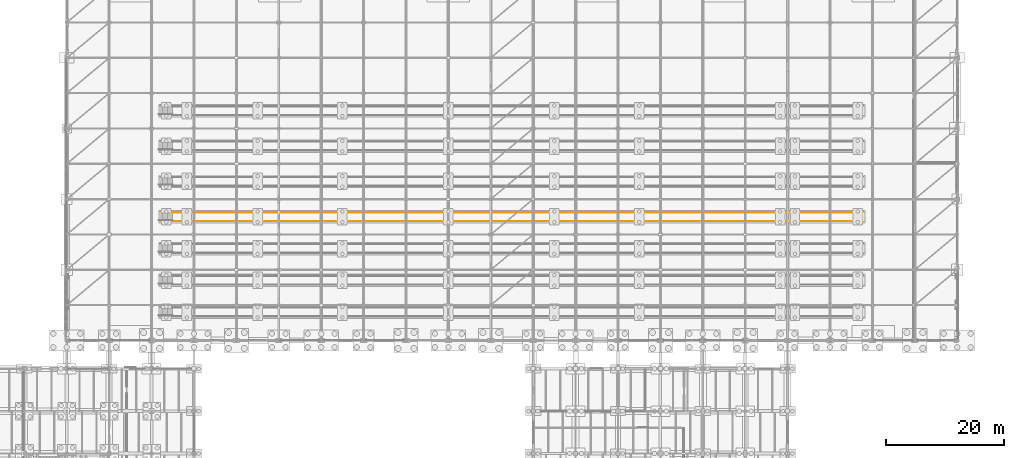
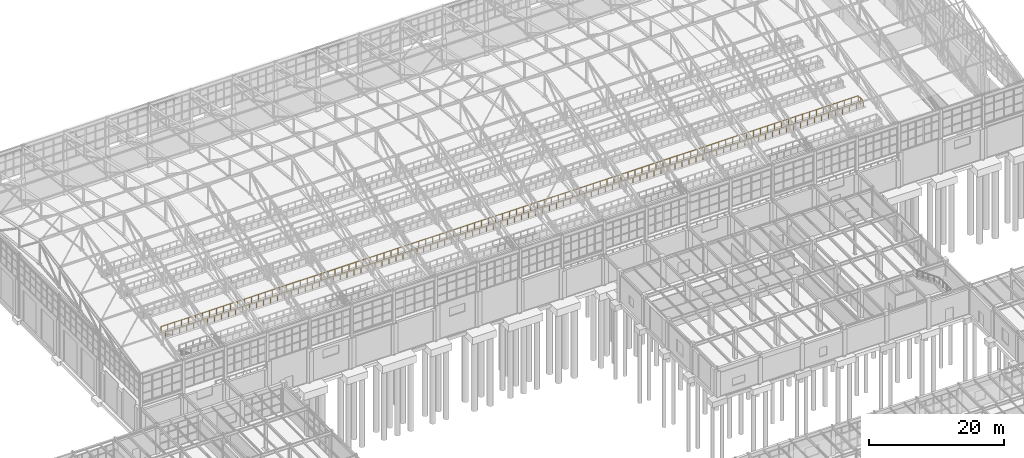
# One storey, part 285 of 293: 1 railing.
"""IFC4 building model written with IfcOpenShell, lengths in metres."""

from ifc_helpers import new_model, si_unit, direction, frame, origin, origin_2d, place, context, subcontext, project, spatial, circle, extrude, material, type_object, element, save


model = new_model("IFC4")

# Units and contexts
model_context = context("Model", 3, precision=1e-05, world=origin(), true_north=direction((0.0, 1.0)))
body_context = subcontext(model_context, "Body", "Model", "MODEL_VIEW")
ifc_project = project(units=[si_unit("LENGTHUNIT", "METRE"), si_unit("AREAUNIT", "SQUARE_METRE"), si_unit("VOLUMEUNIT", "CUBIC_METRE"), si_unit("PLANEANGLEUNIT", "RADIAN"), si_unit("MASSUNIT", "GRAM", prefix="KILO")], contexts=[model_context])

# Site, building, storey
site_placement = place(None, origin())
site = spatial("IfcSite", under=ifc_project, at=site_placement, CompositionType="ELEMENT")
building_placement = place(site_placement, origin())
building = spatial("IfcBuilding", under=site, at=building_placement, Name="Kemerveld Promenade Tramway Depot", CompositionType="ELEMENT")
storey_placement = place(building_placement, origin())
storey = spatial("IfcBuildingStorey", under=building, at=storey_placement, Name="L00", CompositionType="ELEMENT", Elevation=0.0)

# Railing
ifc_material = material(Name="Galvanised painted steel balustrade", Category="steel")
railing_type = type_object("IfcRailingType", Name="RL-GRD-1100", PredefinedType="GUARDRAIL", material=ifc_material)
railing_placement = place(storey_placement, frame((51.949951171875, 104.39501953125, 0.0)))
element("IfcRailing", 1, at=railing_placement, inside=storey, type_object=railing_type, Name="RL-PIT-PIT-04", PredefinedType="GUARDRAIL", context=body_context, shape_type="SweptSolid", body=[
    extrude(circle(Radius=0.02392578125, at=origin_2d()), frame((0.0, 0.0, 1.09619140625), z_axis=(0.0, -1.0, 0.0), x_axis=(1.0, 0.0, 0.0)), (0.0, 0.0, 1.0), 0.14501953125),
    extrude(circle(Radius=0.02392578125, at=origin_2d()), frame((0.0, -0.14501953125, 1.09619140625), z_axis=(1.0, 0.0, 0.0), x_axis=(0.0, 1.0, 0.0)), (0.0, 0.0, 1.0), 119.300048828125),
    extrude(circle(Radius=0.02392578125, at=origin_2d()), frame((119.300048828125, -0.14501953125, 1.09619140625), z_axis=(0.0, 1.0, 0.0), x_axis=(-1.0, 0.0, 0.0)), (0.0, 0.0, 1.0), 1.5),
    extrude(circle(Radius=0.02392578125, at=origin_2d()), frame((119.300048828125, 1.35498046875, 1.09619140625), z_axis=(-1.0, 0.0, 0.0), x_axis=(0.0, -1.0, 0.0)), (0.0, 0.0, 1.0), 119.300048828125),
    extrude(circle(Radius=0.02392578125, at=origin_2d()), frame((0.0, 1.35498046875, 1.09619140625), z_axis=(0.0, -1.0, 0.0), x_axis=(1.0, 0.0, 0.0)), (0.0, 0.0, 1.0), 0.14501953125),
    extrude(circle(Radius=0.02099609375, at=origin_2d()), origin(), (0.0, 0.0, 1.0), 1.072021484375),
    extrude(circle(Radius=0.02099609375, at=origin_2d()), frame((0.0, -0.14501953125, 0.0)), (0.0, 0.0, 1.0), 1.072021484375),
    extrude(circle(Radius=0.02099609375, at=origin_2d()), frame((1.193115234375, -0.14501953125, 0.0)), (0.0, 0.0, 1.0), 1.072021484375),
    extrude(circle(Radius=0.02099609375, at=origin_2d()), frame((2.385986328125, -0.14501953125, 0.0)), (0.0, 0.0, 1.0), 1.072021484375),
    extrude(circle(Radius=0.02099609375, at=origin_2d()), frame((3.5791015625, -0.14501953125, 0.0)), (0.0, 0.0, 1.0), 1.072021484375),
    extrude(circle(Radius=0.02099609375, at=origin_2d()), frame((4.77197265625, -0.14501953125, 0.0)), (0.0, 0.0, 1.0), 1.072021484375),
    extrude(circle(Radius=0.02099609375, at=origin_2d()), frame((5.965087890625, -0.14501953125, 0.0)), (0.0, 0.0, 1.0), 1.072021484375),
    extrude(circle(Radius=0.02099609375, at=origin_2d()), frame((7.157958984375, -0.14501953125, 0.0)), (0.0, 0.0, 1.0), 1.072021484375),
    extrude(circle(Radius=0.02099609375, at=origin_2d()), frame((8.35107421875, -0.14501953125, 0.0)), (0.0, 0.0, 1.0), 1.072021484375),
    extrude(circle(Radius=0.02099609375, at=origin_2d()), frame((9.5439453125, -0.14501953125, 0.0)), (0.0, 0.0, 1.0), 1.072021484375),
    extrude(circle(Radius=0.02099609375, at=origin_2d()), frame((10.737060546875, -0.14501953125, 0.0)), (0.0, 0.0, 1.0), 1.072021484375),
    extrude(circle(Radius=0.02099609375, at=origin_2d()), frame((11.929931640625, -0.14501953125, 0.0)), (0.0, 0.0, 1.0), 1.072021484375),
    extrude(circle(Radius=0.02099609375, at=origin_2d()), frame((13.123046875, -0.14501953125, 0.0)), (0.0, 0.0, 1.0), 1.072021484375),
    extrude(circle(Radius=0.02099609375, at=origin_2d()), frame((14.31591796875, -0.14501953125, 0.0)), (0.0, 0.0, 1.0), 1.072021484375),
    extrude(circle(Radius=0.02099609375, at=origin_2d()), frame((15.509033203125, -0.14501953125, 0.0)), (0.0, 0.0, 1.0), 1.072021484375),
    extrude(circle(Radius=0.02099609375, at=origin_2d()), frame((16.701904296875, -0.14501953125, 0.0)), (0.0, 0.0, 1.0), 1.072021484375),
    extrude(circle(Radius=0.02099609375, at=origin_2d()), frame((17.89501953125, -0.14501953125, 0.0)), (0.0, 0.0, 1.0), 1.072021484375),
    extrude(circle(Radius=0.02099609375, at=origin_2d()), frame((19.087890625, -0.14501953125, 0.0)), (0.0, 0.0, 1.0), 1.072021484375),
    extrude(circle(Radius=0.02099609375, at=origin_2d()), frame((20.281005859375, -0.14501953125, 0.0)), (0.0, 0.0, 1.0), 1.072021484375),
    extrude(circle(Radius=0.02099609375, at=origin_2d()), frame((21.47412109375, -0.14501953125, 0.0)), (0.0, 0.0, 1.0), 1.072021484375),
    extrude(circle(Radius=0.02099609375, at=origin_2d()), frame((22.6669921875, -0.14501953125, 0.0)), (0.0, 0.0, 1.0), 1.072021484375),
    extrude(circle(Radius=0.02099609375, at=origin_2d()), frame((23.860107421875, -0.14501953125, 0.0)), (0.0, 0.0, 1.0), 1.072021484375),
    extrude(circle(Radius=0.02099609375, at=origin_2d()), frame((25.052978515625, -0.14501953125, 0.0)), (0.0, 0.0, 1.0), 1.072021484375),
    extrude(circle(Radius=0.02099609375, at=origin_2d()), frame((26.24609375, -0.14501953125, 0.0)), (0.0, 0.0, 1.0), 1.072021484375),
    extrude(circle(Radius=0.02099609375, at=origin_2d()), frame((27.43896484375, -0.14501953125, 0.0)), (0.0, 0.0, 1.0), 1.072021484375),
    extrude(circle(Radius=0.02099609375, at=origin_2d()), frame((28.632080078125, -0.14501953125, 0.0)), (0.0, 0.0, 1.0), 1.072021484375),
    extrude(circle(Radius=0.02099609375, at=origin_2d()), frame((29.824951171875, -0.14501953125, 0.0)), (0.0, 0.0, 1.0), 1.072021484375),
    extrude(circle(Radius=0.02099609375, at=origin_2d()), frame((31.01806640625, -0.14501953125, 0.0)), (0.0, 0.0, 1.0), 1.072021484375),
    extrude(circle(Radius=0.02099609375, at=origin_2d()), frame((32.2109375, -0.14501953125, 0.0)), (0.0, 0.0, 1.0), 1.072021484375),
    extrude(circle(Radius=0.02099609375, at=origin_2d()), frame((33.404052734375, -0.14501953125, 0.0)), (0.0, 0.0, 1.0), 1.072021484375),
    extrude(circle(Radius=0.02099609375, at=origin_2d()), frame((34.596923828125, -0.14501953125, 0.0)), (0.0, 0.0, 1.0), 1.072021484375),
    extrude(circle(Radius=0.02099609375, at=origin_2d()), frame((35.7900390625, -0.14501953125, 0.0)), (0.0, 0.0, 1.0), 1.072021484375),
    extrude(circle(Radius=0.02099609375, at=origin_2d()), frame((36.98291015625, -0.14501953125, 0.0)), (0.0, 0.0, 1.0), 1.072021484375),
    extrude(circle(Radius=0.02099609375, at=origin_2d()), frame((38.176025390625, -0.14501953125, 0.0)), (0.0, 0.0, 1.0), 1.072021484375),
    extrude(circle(Radius=0.02099609375, at=origin_2d()), frame((39.368896484375, -0.14501953125, 0.0)), (0.0, 0.0, 1.0), 1.072021484375),
    extrude(circle(Radius=0.02099609375, at=origin_2d()), frame((40.56201171875, -0.14501953125, 0.0)), (0.0, 0.0, 1.0), 1.072021484375),
    extrude(circle(Radius=0.02099609375, at=origin_2d()), frame((41.755126953125, -0.14501953125, 0.0)), (0.0, 0.0, 1.0), 1.072021484375),
    extrude(circle(Radius=0.02099609375, at=origin_2d()), frame((42.947998046875, -0.14501953125, 0.0)), (0.0, 0.0, 1.0), 1.072021484375),
    extrude(circle(Radius=0.02099609375, at=origin_2d()), frame((44.14111328125, -0.14501953125, 0.0)), (0.0, 0.0, 1.0), 1.072021484375),
    extrude(circle(Radius=0.02099609375, at=origin_2d()), frame((45.333984375, -0.14501953125, 0.0)), (0.0, 0.0, 1.0), 1.072021484375),
    extrude(circle(Radius=0.02099609375, at=origin_2d()), frame((46.527099609375, -0.14501953125, 0.0)), (0.0, 0.0, 1.0), 1.072021484375),
    extrude(circle(Radius=0.02099609375, at=origin_2d()), frame((47.719970703125, -0.14501953125, 0.0)), (0.0, 0.0, 1.0), 1.072021484375),
    extrude(circle(Radius=0.02099609375, at=origin_2d()), frame((48.9130859375, -0.14501953125, 0.0)), (0.0, 0.0, 1.0), 1.072021484375),
    extrude(circle(Radius=0.02099609375, at=origin_2d()), frame((50.10595703125, -0.14501953125, 0.0)), (0.0, 0.0, 1.0), 1.072021484375),
    extrude(circle(Radius=0.02099609375, at=origin_2d()), frame((51.299072265625, -0.14501953125, 0.0)), (0.0, 0.0, 1.0), 1.072021484375),
    extrude(circle(Radius=0.02099609375, at=origin_2d()), frame((52.491943359375, -0.14501953125, 0.0)), (0.0, 0.0, 1.0), 1.072021484375),
    extrude(circle(Radius=0.02099609375, at=origin_2d()), frame((53.68505859375, -0.14501953125, 0.0)), (0.0, 0.0, 1.0), 1.072021484375),
    extrude(circle(Radius=0.02099609375, at=origin_2d()), frame((54.8779296875, -0.14501953125, 0.0)), (0.0, 0.0, 1.0), 1.072021484375),
    extrude(circle(Radius=0.02099609375, at=origin_2d()), frame((56.071044921875, -0.14501953125, 0.0)), (0.0, 0.0, 1.0), 1.072021484375),
    extrude(circle(Radius=0.02099609375, at=origin_2d()), frame((57.263916015625, -0.14501953125, 0.0)), (0.0, 0.0, 1.0), 1.072021484375),
    extrude(circle(Radius=0.02099609375, at=origin_2d()), frame((58.45703125, -0.14501953125, 0.0)), (0.0, 0.0, 1.0), 1.072021484375),
    extrude(circle(Radius=0.02099609375, at=origin_2d()), frame((59.64990234375, -0.14501953125, 0.0)), (0.0, 0.0, 1.0), 1.072021484375),
    extrude(circle(Radius=0.02099609375, at=origin_2d()), frame((60.843017578125, -0.14501953125, 0.0)), (0.0, 0.0, 1.0), 1.072021484375),
    extrude(circle(Radius=0.02099609375, at=origin_2d()), frame((62.0361328125, -0.14501953125, 0.0)), (0.0, 0.0, 1.0), 1.072021484375),
    extrude(circle(Radius=0.02099609375, at=origin_2d()), frame((63.22900390625, -0.14501953125, 0.0)), (0.0, 0.0, 1.0), 1.072021484375),
    extrude(circle(Radius=0.02099609375, at=origin_2d()), frame((64.422119140625, -0.14501953125, 0.0)), (0.0, 0.0, 1.0), 1.072021484375),
    extrude(circle(Radius=0.02099609375, at=origin_2d()), frame((65.614990234375, -0.14501953125, 0.0)), (0.0, 0.0, 1.0), 1.072021484375),
    extrude(circle(Radius=0.02099609375, at=origin_2d()), frame((66.80810546875, -0.14501953125, 0.0)), (0.0, 0.0, 1.0), 1.072021484375),
    extrude(circle(Radius=0.02099609375, at=origin_2d()), frame((68.0009765625, -0.14501953125, 0.0)), (0.0, 0.0, 1.0), 1.072021484375),
    extrude(circle(Radius=0.02099609375, at=origin_2d()), frame((69.194091796875, -0.14501953125, 0.0)), (0.0, 0.0, 1.0), 1.072021484375),
    extrude(circle(Radius=0.02099609375, at=origin_2d()), frame((70.386962890625, -0.14501953125, 0.0)), (0.0, 0.0, 1.0), 1.072021484375),
    extrude(circle(Radius=0.02099609375, at=origin_2d()), frame((71.580078125, -0.14501953125, 0.0)), (0.0, 0.0, 1.0), 1.072021484375),
    extrude(circle(Radius=0.02099609375, at=origin_2d()), frame((72.77294921875, -0.14501953125, 0.0)), (0.0, 0.0, 1.0), 1.072021484375),
    extrude(circle(Radius=0.02099609375, at=origin_2d()), frame((73.966064453125, -0.14501953125, 0.0)), (0.0, 0.0, 1.0), 1.072021484375),
    extrude(circle(Radius=0.02099609375, at=origin_2d()), frame((75.158935546875, -0.14501953125, 0.0)), (0.0, 0.0, 1.0), 1.072021484375),
    extrude(circle(Radius=0.02099609375, at=origin_2d()), frame((76.35205078125, -0.14501953125, 0.0)), (0.0, 0.0, 1.0), 1.072021484375),
    extrude(circle(Radius=0.02099609375, at=origin_2d()), frame((77.544921875, -0.14501953125, 0.0)), (0.0, 0.0, 1.0), 1.072021484375),
    extrude(circle(Radius=0.02099609375, at=origin_2d()), frame((78.738037109375, -0.14501953125, 0.0)), (0.0, 0.0, 1.0), 1.072021484375),
    extrude(circle(Radius=0.02099609375, at=origin_2d()), frame((79.93115234375, -0.14501953125, 0.0)), (0.0, 0.0, 1.0), 1.072021484375),
    extrude(circle(Radius=0.02099609375, at=origin_2d()), frame((81.1240234375, -0.14501953125, 0.0)), (0.0, 0.0, 1.0), 1.072021484375),
    extrude(circle(Radius=0.02099609375, at=origin_2d()), frame((82.317138671875, -0.14501953125, 0.0)), (0.0, 0.0, 1.0), 1.072021484375),
    extrude(circle(Radius=0.02099609375, at=origin_2d()), frame((83.510009765625, -0.14501953125, 0.0)), (0.0, 0.0, 1.0), 1.072021484375),
    extrude(circle(Radius=0.02099609375, at=origin_2d()), frame((84.703125, -0.14501953125, 0.0)), (0.0, 0.0, 1.0), 1.072021484375),
    extrude(circle(Radius=0.02099609375, at=origin_2d()), frame((85.89599609375, -0.14501953125, 0.0)), (0.0, 0.0, 1.0), 1.072021484375),
    extrude(circle(Radius=0.02099609375, at=origin_2d()), frame((87.089111328125, -0.14501953125, 0.0)), (0.0, 0.0, 1.0), 1.072021484375),
    extrude(circle(Radius=0.02099609375, at=origin_2d()), frame((88.281982421875, -0.14501953125, 0.0)), (0.0, 0.0, 1.0), 1.072021484375),
    extrude(circle(Radius=0.02099609375, at=origin_2d()), frame((89.47509765625, -0.14501953125, 0.0)), (0.0, 0.0, 1.0), 1.072021484375),
    extrude(circle(Radius=0.02099609375, at=origin_2d()), frame((90.66796875, -0.14501953125, 0.0)), (0.0, 0.0, 1.0), 1.072021484375),
    extrude(circle(Radius=0.02099609375, at=origin_2d()), frame((91.861083984375, -0.14501953125, 0.0)), (0.0, 0.0, 1.0), 1.072021484375),
    extrude(circle(Radius=0.02099609375, at=origin_2d()), frame((93.053955078125, -0.14501953125, 0.0)), (0.0, 0.0, 1.0), 1.072021484375),
    extrude(circle(Radius=0.02099609375, at=origin_2d()), frame((94.2470703125, -0.14501953125, 0.0)), (0.0, 0.0, 1.0), 1.072021484375),
    extrude(circle(Radius=0.02099609375, at=origin_2d()), frame((95.43994140625, -0.14501953125, 0.0)), (0.0, 0.0, 1.0), 1.072021484375),
    extrude(circle(Radius=0.02099609375, at=origin_2d()), frame((96.633056640625, -0.14501953125, 0.0)), (0.0, 0.0, 1.0), 1.072021484375),
    extrude(circle(Radius=0.02099609375, at=origin_2d()), frame((97.825927734375, -0.14501953125, 0.0)), (0.0, 0.0, 1.0), 1.072021484375),
    extrude(circle(Radius=0.02099609375, at=origin_2d()), frame((99.01904296875, -0.14501953125, 0.0)), (0.0, 0.0, 1.0), 1.072021484375),
    extrude(circle(Radius=0.02099609375, at=origin_2d()), frame((100.212158203125, -0.14501953125, 0.0)), (0.0, 0.0, 1.0), 1.072021484375),
    extrude(circle(Radius=0.02099609375, at=origin_2d()), frame((101.405029296875, -0.14501953125, 0.0)), (0.0, 0.0, 1.0), 1.072021484375),
    extrude(circle(Radius=0.02099609375, at=origin_2d()), frame((102.59814453125, -0.14501953125, 0.0)), (0.0, 0.0, 1.0), 1.072021484375),
    extrude(circle(Radius=0.02099609375, at=origin_2d()), frame((103.791015625, -0.14501953125, 0.0)), (0.0, 0.0, 1.0), 1.072021484375),
    extrude(circle(Radius=0.02099609375, at=origin_2d()), frame((104.984130859375, -0.14501953125, 0.0)), (0.0, 0.0, 1.0), 1.072021484375),
    extrude(circle(Radius=0.02099609375, at=origin_2d()), frame((106.177001953125, -0.14501953125, 0.0)), (0.0, 0.0, 1.0), 1.072021484375),
    extrude(circle(Radius=0.02099609375, at=origin_2d()), frame((107.3701171875, -0.14501953125, 0.0)), (0.0, 0.0, 1.0), 1.072021484375),
    extrude(circle(Radius=0.02099609375, at=origin_2d()), frame((108.56298828125, -0.14501953125, 0.0)), (0.0, 0.0, 1.0), 1.072021484375),
    extrude(circle(Radius=0.02099609375, at=origin_2d()), frame((109.756103515625, -0.14501953125, 0.0)), (0.0, 0.0, 1.0), 1.072021484375),
    extrude(circle(Radius=0.02099609375, at=origin_2d()), frame((110.948974609375, -0.14501953125, 0.0)), (0.0, 0.0, 1.0), 1.072021484375),
    extrude(circle(Radius=0.02099609375, at=origin_2d()), frame((112.14208984375, -0.14501953125, 0.0)), (0.0, 0.0, 1.0), 1.072021484375),
    extrude(circle(Radius=0.02099609375, at=origin_2d()), frame((113.3349609375, -0.14501953125, 0.0)), (0.0, 0.0, 1.0), 1.072021484375),
    extrude(circle(Radius=0.02099609375, at=origin_2d()), frame((114.528076171875, -0.14501953125, 0.0)), (0.0, 0.0, 1.0), 1.072021484375),
    extrude(circle(Radius=0.02099609375, at=origin_2d()), frame((115.720947265625, -0.14501953125, 0.0)), (0.0, 0.0, 1.0), 1.072021484375),
    extrude(circle(Radius=0.02099609375, at=origin_2d()), frame((116.9140625, -0.14501953125, 0.0)), (0.0, 0.0, 1.0), 1.072021484375),
    extrude(circle(Radius=0.02099609375, at=origin_2d()), frame((118.10693359375, -0.14501953125, 0.0)), (0.0, 0.0, 1.0), 1.072021484375),
    extrude(circle(Radius=0.02099609375, at=origin_2d()), frame((119.300048828125, -0.14501953125, 0.0)), (0.0, 0.0, 1.0), 1.072021484375),
    extrude(circle(Radius=0.02099609375, at=origin_2d()), frame((119.300048828125, 0.60498046875, 0.0)), (0.0, 0.0, 1.0), 1.072021484375),
    extrude(circle(Radius=0.02099609375, at=origin_2d()), frame((119.300048828125, 1.35498046875, 0.0)), (0.0, 0.0, 1.0), 1.072021484375),
    extrude(circle(Radius=0.02099609375, at=origin_2d()), frame((118.10693359375, 1.35498046875, 0.0)), (0.0, 0.0, 1.0), 1.072021484375),
    extrude(circle(Radius=0.02099609375, at=origin_2d()), frame((116.9140625, 1.35498046875, 0.0)), (0.0, 0.0, 1.0), 1.072021484375),
    extrude(circle(Radius=0.02099609375, at=origin_2d()), frame((115.720947265625, 1.35498046875, 0.0)), (0.0, 0.0, 1.0), 1.072021484375),
    extrude(circle(Radius=0.02099609375, at=origin_2d()), frame((114.528076171875, 1.35498046875, 0.0)), (0.0, 0.0, 1.0), 1.072021484375),
    extrude(circle(Radius=0.02099609375, at=origin_2d()), frame((113.3349609375, 1.35498046875, 0.0)), (0.0, 0.0, 1.0), 1.072021484375),
    extrude(circle(Radius=0.02099609375, at=origin_2d()), frame((112.14208984375, 1.35498046875, 0.0)), (0.0, 0.0, 1.0), 1.072021484375),
    extrude(circle(Radius=0.02099609375, at=origin_2d()), frame((110.948974609375, 1.35498046875, 0.0)), (0.0, 0.0, 1.0), 1.072021484375),
    extrude(circle(Radius=0.02099609375, at=origin_2d()), frame((109.756103515625, 1.35498046875, 0.0)), (0.0, 0.0, 1.0), 1.072021484375),
    extrude(circle(Radius=0.02099609375, at=origin_2d()), frame((108.56298828125, 1.35498046875, 0.0)), (0.0, 0.0, 1.0), 1.072021484375),
    extrude(circle(Radius=0.02099609375, at=origin_2d()), frame((107.3701171875, 1.35498046875, 0.0)), (0.0, 0.0, 1.0), 1.072021484375),
    extrude(circle(Radius=0.02099609375, at=origin_2d()), frame((106.177001953125, 1.35498046875, 0.0)), (0.0, 0.0, 1.0), 1.072021484375),
    extrude(circle(Radius=0.02099609375, at=origin_2d()), frame((104.984130859375, 1.35498046875, 0.0)), (0.0, 0.0, 1.0), 1.072021484375),
    extrude(circle(Radius=0.02099609375, at=origin_2d()), frame((103.791015625, 1.35498046875, 0.0)), (0.0, 0.0, 1.0), 1.072021484375),
    extrude(circle(Radius=0.02099609375, at=origin_2d()), frame((102.59814453125, 1.35498046875, 0.0)), (0.0, 0.0, 1.0), 1.072021484375),
    extrude(circle(Radius=0.02099609375, at=origin_2d()), frame((101.405029296875, 1.35498046875, 0.0)), (0.0, 0.0, 1.0), 1.072021484375),
    extrude(circle(Radius=0.02099609375, at=origin_2d()), frame((100.212158203125, 1.35498046875, 0.0)), (0.0, 0.0, 1.0), 1.072021484375),
    extrude(circle(Radius=0.02099609375, at=origin_2d()), frame((99.01904296875, 1.35498046875, 0.0)), (0.0, 0.0, 1.0), 1.072021484375),
    extrude(circle(Radius=0.02099609375, at=origin_2d()), frame((97.825927734375, 1.35498046875, 0.0)), (0.0, 0.0, 1.0), 1.072021484375),
    extrude(circle(Radius=0.02099609375, at=origin_2d()), frame((96.633056640625, 1.35498046875, 0.0)), (0.0, 0.0, 1.0), 1.072021484375),
    extrude(circle(Radius=0.02099609375, at=origin_2d()), frame((95.43994140625, 1.35498046875, 0.0)), (0.0, 0.0, 1.0), 1.072021484375),
    extrude(circle(Radius=0.02099609375, at=origin_2d()), frame((94.2470703125, 1.35498046875, 0.0)), (0.0, 0.0, 1.0), 1.072021484375),
    extrude(circle(Radius=0.02099609375, at=origin_2d()), frame((93.053955078125, 1.35498046875, 0.0)), (0.0, 0.0, 1.0), 1.072021484375),
    extrude(circle(Radius=0.02099609375, at=origin_2d()), frame((91.861083984375, 1.35498046875, 0.0)), (0.0, 0.0, 1.0), 1.072021484375),
    extrude(circle(Radius=0.02099609375, at=origin_2d()), frame((90.66796875, 1.35498046875, 0.0)), (0.0, 0.0, 1.0), 1.072021484375),
    extrude(circle(Radius=0.02099609375, at=origin_2d()), frame((89.47509765625, 1.35498046875, 0.0)), (0.0, 0.0, 1.0), 1.072021484375),
    extrude(circle(Radius=0.02099609375, at=origin_2d()), frame((88.281982421875, 1.35498046875, 0.0)), (0.0, 0.0, 1.0), 1.072021484375),
    extrude(circle(Radius=0.02099609375, at=origin_2d()), frame((87.089111328125, 1.35498046875, 0.0)), (0.0, 0.0, 1.0), 1.072021484375),
    extrude(circle(Radius=0.02099609375, at=origin_2d()), frame((85.89599609375, 1.35498046875, 0.0)), (0.0, 0.0, 1.0), 1.072021484375),
    extrude(circle(Radius=0.02099609375, at=origin_2d()), frame((84.703125, 1.35498046875, 0.0)), (0.0, 0.0, 1.0), 1.072021484375),
    extrude(circle(Radius=0.02099609375, at=origin_2d()), frame((83.510009765625, 1.35498046875, 0.0)), (0.0, 0.0, 1.0), 1.072021484375),
    extrude(circle(Radius=0.02099609375, at=origin_2d()), frame((82.317138671875, 1.35498046875, 0.0)), (0.0, 0.0, 1.0), 1.072021484375),
    extrude(circle(Radius=0.02099609375, at=origin_2d()), frame((81.1240234375, 1.35498046875, 0.0)), (0.0, 0.0, 1.0), 1.072021484375),
    extrude(circle(Radius=0.02099609375, at=origin_2d()), frame((79.93115234375, 1.35498046875, 0.0)), (0.0, 0.0, 1.0), 1.072021484375),
    extrude(circle(Radius=0.02099609375, at=origin_2d()), frame((78.738037109375, 1.35498046875, 0.0)), (0.0, 0.0, 1.0), 1.072021484375),
    extrude(circle(Radius=0.02099609375, at=origin_2d()), frame((77.544921875, 1.35498046875, 0.0)), (0.0, 0.0, 1.0), 1.072021484375),
    extrude(circle(Radius=0.02099609375, at=origin_2d()), frame((76.35205078125, 1.35498046875, 0.0)), (0.0, 0.0, 1.0), 1.072021484375),
    extrude(circle(Radius=0.02099609375, at=origin_2d()), frame((75.158935546875, 1.35498046875, 0.0)), (0.0, 0.0, 1.0), 1.072021484375),
    extrude(circle(Radius=0.02099609375, at=origin_2d()), frame((73.966064453125, 1.35498046875, 0.0)), (0.0, 0.0, 1.0), 1.072021484375),
    extrude(circle(Radius=0.02099609375, at=origin_2d()), frame((72.77294921875, 1.35498046875, 0.0)), (0.0, 0.0, 1.0), 1.072021484375),
    extrude(circle(Radius=0.02099609375, at=origin_2d()), frame((71.580078125, 1.35498046875, 0.0)), (0.0, 0.0, 1.0), 1.072021484375),
    extrude(circle(Radius=0.02099609375, at=origin_2d()), frame((70.386962890625, 1.35498046875, 0.0)), (0.0, 0.0, 1.0), 1.072021484375),
    extrude(circle(Radius=0.02099609375, at=origin_2d()), frame((69.194091796875, 1.35498046875, 0.0)), (0.0, 0.0, 1.0), 1.072021484375),
    extrude(circle(Radius=0.02099609375, at=origin_2d()), frame((68.0009765625, 1.35498046875, 0.0)), (0.0, 0.0, 1.0), 1.072021484375),
    extrude(circle(Radius=0.02099609375, at=origin_2d()), frame((66.80810546875, 1.35498046875, 0.0)), (0.0, 0.0, 1.0), 1.072021484375),
    extrude(circle(Radius=0.02099609375, at=origin_2d()), frame((65.614990234375, 1.35498046875, 0.0)), (0.0, 0.0, 1.0), 1.072021484375),
    extrude(circle(Radius=0.02099609375, at=origin_2d()), frame((64.422119140625, 1.35498046875, 0.0)), (0.0, 0.0, 1.0), 1.072021484375),
    extrude(circle(Radius=0.02099609375, at=origin_2d()), frame((63.22900390625, 1.35498046875, 0.0)), (0.0, 0.0, 1.0), 1.072021484375),
    extrude(circle(Radius=0.02099609375, at=origin_2d()), frame((62.0361328125, 1.35498046875, 0.0)), (0.0, 0.0, 1.0), 1.072021484375),
    extrude(circle(Radius=0.02099609375, at=origin_2d()), frame((60.843017578125, 1.35498046875, 0.0)), (0.0, 0.0, 1.0), 1.072021484375),
    extrude(circle(Radius=0.02099609375, at=origin_2d()), frame((59.64990234375, 1.35498046875, 0.0)), (0.0, 0.0, 1.0), 1.072021484375),
    extrude(circle(Radius=0.02099609375, at=origin_2d()), frame((58.45703125, 1.35498046875, 0.0)), (0.0, 0.0, 1.0), 1.072021484375),
    extrude(circle(Radius=0.02099609375, at=origin_2d()), frame((57.263916015625, 1.35498046875, 0.0)), (0.0, 0.0, 1.0), 1.072021484375),
    extrude(circle(Radius=0.02099609375, at=origin_2d()), frame((56.071044921875, 1.35498046875, 0.0)), (0.0, 0.0, 1.0), 1.072021484375),
    extrude(circle(Radius=0.02099609375, at=origin_2d()), frame((54.8779296875, 1.35498046875, 0.0)), (0.0, 0.0, 1.0), 1.072021484375),
    extrude(circle(Radius=0.02099609375, at=origin_2d()), frame((53.68505859375, 1.35498046875, 0.0)), (0.0, 0.0, 1.0), 1.072021484375),
    extrude(circle(Radius=0.02099609375, at=origin_2d()), frame((52.491943359375, 1.35498046875, 0.0)), (0.0, 0.0, 1.0), 1.072021484375),
    extrude(circle(Radius=0.02099609375, at=origin_2d()), frame((51.299072265625, 1.35498046875, 0.0)), (0.0, 0.0, 1.0), 1.072021484375),
    extrude(circle(Radius=0.02099609375, at=origin_2d()), frame((50.10595703125, 1.35498046875, 0.0)), (0.0, 0.0, 1.0), 1.072021484375),
    extrude(circle(Radius=0.02099609375, at=origin_2d()), frame((48.9130859375, 1.35498046875, 0.0)), (0.0, 0.0, 1.0), 1.072021484375),
    extrude(circle(Radius=0.02099609375, at=origin_2d()), frame((47.719970703125, 1.35498046875, 0.0)), (0.0, 0.0, 1.0), 1.072021484375),
    extrude(circle(Radius=0.02099609375, at=origin_2d()), frame((46.527099609375, 1.35498046875, 0.0)), (0.0, 0.0, 1.0), 1.072021484375),
    extrude(circle(Radius=0.02099609375, at=origin_2d()), frame((45.333984375, 1.35498046875, 0.0)), (0.0, 0.0, 1.0), 1.072021484375),
    extrude(circle(Radius=0.02099609375, at=origin_2d()), frame((44.14111328125, 1.35498046875, 0.0)), (0.0, 0.0, 1.0), 1.072021484375),
    extrude(circle(Radius=0.02099609375, at=origin_2d()), frame((42.947998046875, 1.35498046875, 0.0)), (0.0, 0.0, 1.0), 1.072021484375),
    extrude(circle(Radius=0.02099609375, at=origin_2d()), frame((41.755126953125, 1.35498046875, 0.0)), (0.0, 0.0, 1.0), 1.072021484375),
    extrude(circle(Radius=0.02099609375, at=origin_2d()), frame((40.56201171875, 1.35498046875, 0.0)), (0.0, 0.0, 1.0), 1.072021484375),
    extrude(circle(Radius=0.02099609375, at=origin_2d()), frame((39.368896484375, 1.35498046875, 0.0)), (0.0, 0.0, 1.0), 1.072021484375),
    extrude(circle(Radius=0.02099609375, at=origin_2d()), frame((38.176025390625, 1.35498046875, 0.0)), (0.0, 0.0, 1.0), 1.072021484375),
    extrude(circle(Radius=0.02099609375, at=origin_2d()), frame((36.98291015625, 1.35498046875, 0.0)), (0.0, 0.0, 1.0), 1.072021484375),
    extrude(circle(Radius=0.02099609375, at=origin_2d()), frame((35.7900390625, 1.35498046875, 0.0)), (0.0, 0.0, 1.0), 1.072021484375),
    extrude(circle(Radius=0.02099609375, at=origin_2d()), frame((34.596923828125, 1.35498046875, 0.0)), (0.0, 0.0, 1.0), 1.072021484375),
    extrude(circle(Radius=0.02099609375, at=origin_2d()), frame((33.404052734375, 1.35498046875, 0.0)), (0.0, 0.0, 1.0), 1.072021484375),
    extrude(circle(Radius=0.02099609375, at=origin_2d()), frame((32.2109375, 1.35498046875, 0.0)), (0.0, 0.0, 1.0), 1.072021484375),
    extrude(circle(Radius=0.02099609375, at=origin_2d()), frame((31.01806640625, 1.35498046875, 0.0)), (0.0, 0.0, 1.0), 1.072021484375),
    extrude(circle(Radius=0.02099609375, at=origin_2d()), frame((29.824951171875, 1.35498046875, 0.0)), (0.0, 0.0, 1.0), 1.072021484375),
    extrude(circle(Radius=0.02099609375, at=origin_2d()), frame((28.632080078125, 1.35498046875, 0.0)), (0.0, 0.0, 1.0), 1.072021484375),
    extrude(circle(Radius=0.02099609375, at=origin_2d()), frame((27.43896484375, 1.35498046875, 0.0)), (0.0, 0.0, 1.0), 1.072021484375),
    extrude(circle(Radius=0.02099609375, at=origin_2d()), frame((26.24609375, 1.35498046875, 0.0)), (0.0, 0.0, 1.0), 1.072021484375),
    extrude(circle(Radius=0.02099609375, at=origin_2d()), frame((25.052978515625, 1.35498046875, 0.0)), (0.0, 0.0, 1.0), 1.072021484375),
    extrude(circle(Radius=0.02099609375, at=origin_2d()), frame((23.860107421875, 1.35498046875, 0.0)), (0.0, 0.0, 1.0), 1.072021484375),
    extrude(circle(Radius=0.02099609375, at=origin_2d()), frame((22.6669921875, 1.35498046875, 0.0)), (0.0, 0.0, 1.0), 1.072021484375),
    extrude(circle(Radius=0.02099609375, at=origin_2d()), frame((21.47412109375, 1.35498046875, 0.0)), (0.0, 0.0, 1.0), 1.072021484375),
    extrude(circle(Radius=0.02099609375, at=origin_2d()), frame((20.281005859375, 1.35498046875, 0.0)), (0.0, 0.0, 1.0), 1.072021484375),
    extrude(circle(Radius=0.02099609375, at=origin_2d()), frame((19.087890625, 1.35498046875, 0.0)), (0.0, 0.0, 1.0), 1.072021484375),
    extrude(circle(Radius=0.02099609375, at=origin_2d()), frame((17.89501953125, 1.35498046875, 0.0)), (0.0, 0.0, 1.0), 1.072021484375),
    extrude(circle(Radius=0.02099609375, at=origin_2d()), frame((16.701904296875, 1.35498046875, 0.0)), (0.0, 0.0, 1.0), 1.072021484375),
    extrude(circle(Radius=0.02099609375, at=origin_2d()), frame((15.509033203125, 1.35498046875, 0.0)), (0.0, 0.0, 1.0), 1.072021484375),
    extrude(circle(Radius=0.02099609375, at=origin_2d()), frame((14.31591796875, 1.35498046875, 0.0)), (0.0, 0.0, 1.0), 1.072021484375),
    extrude(circle(Radius=0.02099609375, at=origin_2d()), frame((13.123046875, 1.35498046875, 0.0)), (0.0, 0.0, 1.0), 1.072021484375),
    extrude(circle(Radius=0.02099609375, at=origin_2d()), frame((11.929931640625, 1.35498046875, 0.0)), (0.0, 0.0, 1.0), 1.072021484375),
    extrude(circle(Radius=0.02099609375, at=origin_2d()), frame((10.737060546875, 1.35498046875, 0.0)), (0.0, 0.0, 1.0), 1.072021484375),
    extrude(circle(Radius=0.02099609375, at=origin_2d()), frame((9.5439453125, 1.35498046875, 0.0)), (0.0, 0.0, 1.0), 1.072021484375),
    extrude(circle(Radius=0.02099609375, at=origin_2d()), frame((8.35107421875, 1.35498046875, 0.0)), (0.0, 0.0, 1.0), 1.072021484375),
    extrude(circle(Radius=0.02099609375, at=origin_2d()), frame((7.157958984375, 1.35498046875, 0.0)), (0.0, 0.0, 1.0), 1.072021484375),
    extrude(circle(Radius=0.02099609375, at=origin_2d()), frame((5.965087890625, 1.35498046875, 0.0)), (0.0, 0.0, 1.0), 1.072021484375),
    extrude(circle(Radius=0.02099609375, at=origin_2d()), frame((4.77197265625, 1.35498046875, 0.0)), (0.0, 0.0, 1.0), 1.072021484375),
    extrude(circle(Radius=0.02099609375, at=origin_2d()), frame((3.5791015625, 1.35498046875, 0.0)), (0.0, 0.0, 1.0), 1.072021484375),
    extrude(circle(Radius=0.02099609375, at=origin_2d()), frame((2.385986328125, 1.35498046875, 0.0)), (0.0, 0.0, 1.0), 1.072021484375),
    extrude(circle(Radius=0.02099609375, at=origin_2d()), frame((1.193115234375, 1.35498046875, 0.0)), (0.0, 0.0, 1.0), 1.072021484375),
    extrude(circle(Radius=0.02099609375, at=origin_2d()), frame((0.0, 1.35498046875, 0.0)), (0.0, 0.0, 1.0), 1.072021484375),
    extrude(circle(Radius=0.02099609375, at=origin_2d()), frame((0.0, 1.2099609375, 0.0)), (0.0, 0.0, 1.0), 1.072021484375),
])

save(model, "model.ifc")
